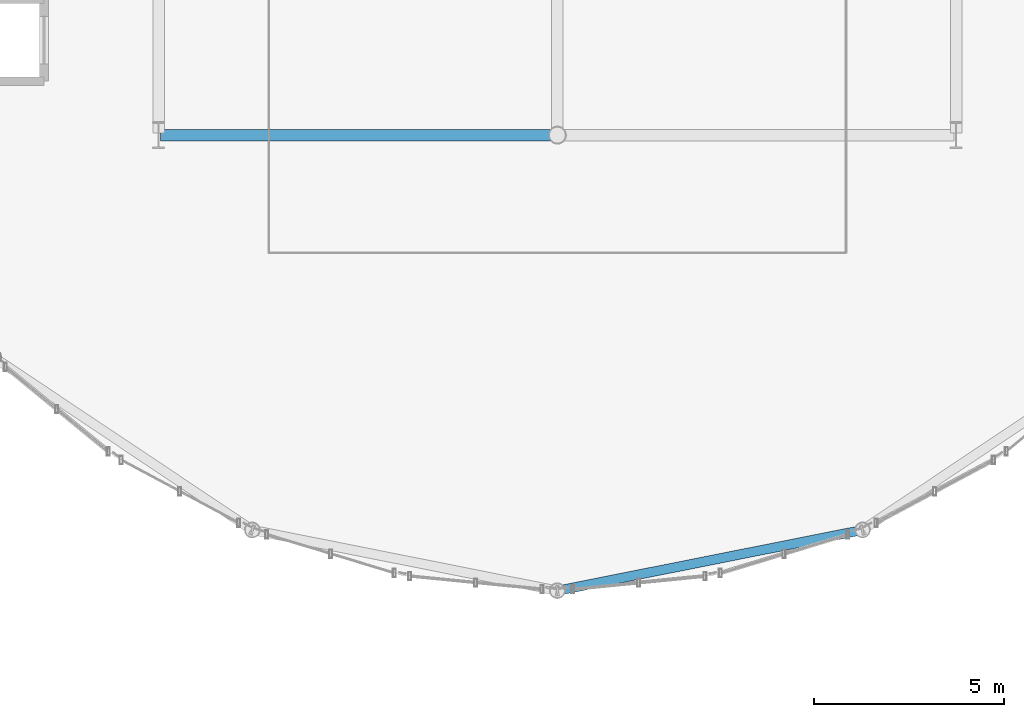
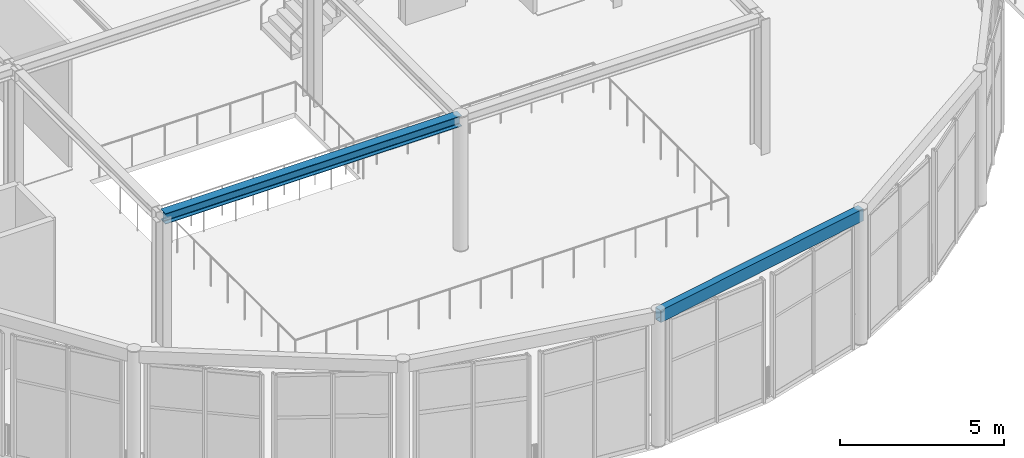
# One storey, part 24 of 195: 2 beams.
"""IFC4 building model written with IfcOpenShell, lengths in metres."""

from ifc_helpers import new_model, si_unit, direction, frame, origin, origin_2d, place, context, subcontext, project, spatial, hollow_rectangle, i_section, extrude, material, material_profile, profile_set, type_object, element, save


model = new_model("IFC4")

# Units and contexts
model_context = context("Model", 3, precision=1e-05, world=origin(), true_north=direction((0.0, 1.0)))
body_context = subcontext(model_context, "Body", "Model", "MODEL_VIEW")
ifc_project = project(units=[si_unit("LENGTHUNIT", "METRE"), si_unit("AREAUNIT", "SQUARE_METRE"), si_unit("VOLUMEUNIT", "CUBIC_METRE"), si_unit("PLANEANGLEUNIT", "RADIAN"), si_unit("MASSUNIT", "GRAM", prefix="KILO")], contexts=[model_context])

# Site, building, storey
site_placement = place(None, origin())
site = spatial("IfcSite", under=ifc_project, at=site_placement, CompositionType="ELEMENT")
building_placement = place(site_placement, origin())
building = spatial("IfcBuilding", under=site, at=building_placement, Name="Marlcrest Central Station", CompositionType="ELEMENT")
storey_placement = place(building_placement, frame((0.0, 0.0, 9.800048828125)))
storey = spatial("IfcBuildingStorey", under=building, at=storey_placement, Name="L02", CompositionType="ELEMENT", Elevation=9.800048828125)

# Beams
ifc_material = material(Name="Steel S355", Category="steel")
ifc_material_profile_1 = material_profile(ifc_material, i_section(OverallWidth=0.300048828125, OverallDepth=0.389892578125, WebThickness=0.010986328125, FlangeThickness=0.01904296875, FilletRadius=0.027099609375, at=origin_2d()), Name="HEA 400")
ifc_profile_set_1 = profile_set([ifc_material_profile_1], Name="Steel S355")
beam_type_1 = type_object("IfcBeamType", Name="BM-08", PredefinedType="BEAM", material=ifc_profile_set_1)
beam_1_placement = place(storey_placement, frame((97.550048828125, 13.5, 4.800048828125), z_axis=(1.0, 0.0, 0.0), x_axis=(0.0, 1.0, 0.0)))
element("IfcBeam", 1, at=beam_1_placement, inside=storey, type_object=beam_type_1, Name="bm-BM-08-L02-01378", PredefinedType="BEAM", context=body_context, shape_type="SweptSolid", body=[
    extrude(i_section(OverallWidth=0.300048828125, OverallDepth=0.389892578125, WebThickness=0.010986328125, FlangeThickness=0.01904296875, FilletRadius=0.027099609375, at=origin_2d()), origin(), (0.0, 0.0, 1.0), 10.39990234375),
])
ifc_material_profile_2 = material_profile(ifc_material, hollow_rectangle(XDim=0.25, YDim=0.449951171875, WallThickness=0.01611328125, at=origin_2d()), Name="RHS 450x250x16")
ifc_profile_set_2 = profile_set([ifc_material_profile_2], Name="Steel S355")
beam_type_2 = type_object("IfcBeamType", Name="SP-02", PredefinedType="SPANDREL", material=ifc_profile_set_2)
beam_2_placement = place(storey_placement, frame((108.0, 1.5, 4.77001953125), z_axis=(0.980769316421, 0.19517056122, 0.0), x_axis=(-0.19517056122, 0.980769316421, 0.0)))
element("IfcBeam", 2, at=beam_2_placement, inside=storey, type_object=beam_type_2, Name="bm-SP-02-L02-01374", PredefinedType="SPANDREL", context=body_context, shape_type="SweptSolid", body=[
    extrude(hollow_rectangle(XDim=0.25, YDim=0.449951171875, WallThickness=0.01611328125, at=origin_2d()), origin(), (0.0, 0.0, 1.0), 8.193359375),
])

save(model, "model.ifc")
